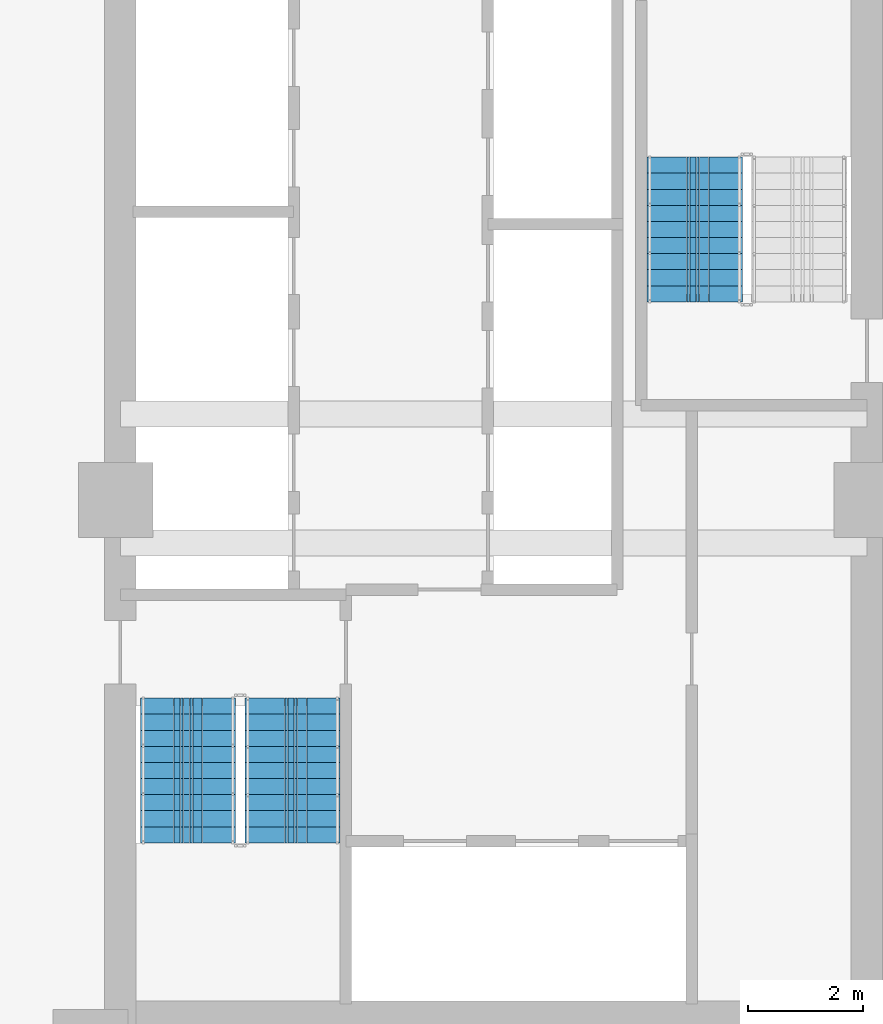
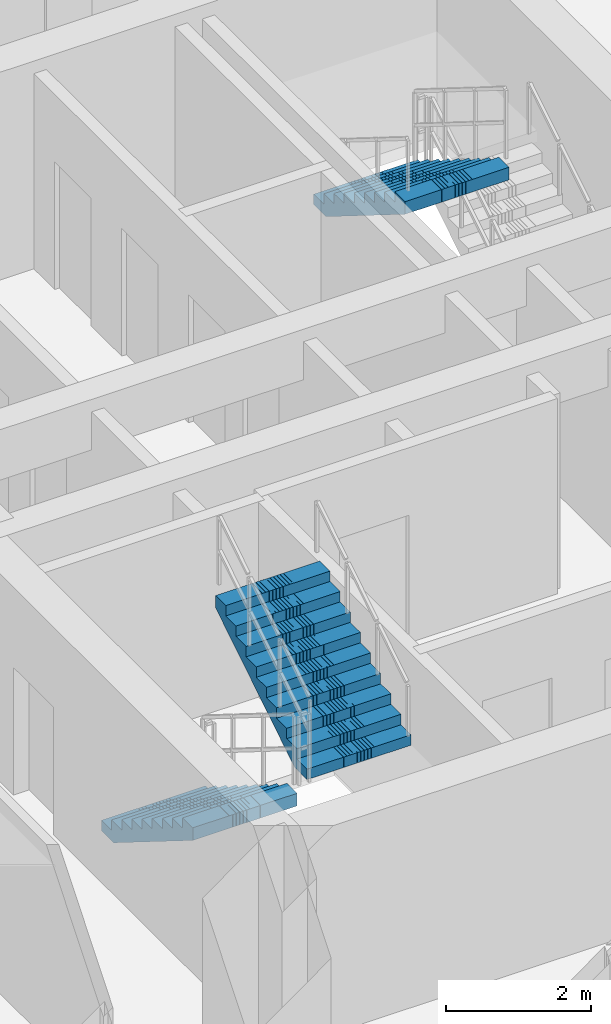
# One storey, part 8 of 17: 3 stair flights, 2 elements without a shape of their own.
"""IFC4 building model written with IfcOpenShell, lengths in metres."""

from ifc_helpers import new_model, si_unit, direction, frame, origin, place, context, subcontext, project, spatial, polyline, outline, extrude, material, type_object, element, aggregate, save


model = new_model("IFC4")

# Units and contexts
model_context = context("Model", 3, precision=1e-05, world=origin(), true_north=direction((0.0, 1.0)))
body_context = subcontext(model_context, "Body", "Model", "MODEL_VIEW")
ifc_project = project(units=[si_unit("LENGTHUNIT", "METRE"), si_unit("AREAUNIT", "SQUARE_METRE"), si_unit("VOLUMEUNIT", "CUBIC_METRE"), si_unit("PLANEANGLEUNIT", "RADIAN"), si_unit("MASSUNIT", "GRAM", prefix="KILO")], contexts=[model_context])

# Site, building, storey
site_placement = place(None, origin())
site = spatial("IfcSite", under=ifc_project, at=site_placement, CompositionType="ELEMENT")
building_placement = place(site_placement, origin())
building = spatial("IfcBuilding", under=site, at=building_placement, Name="Saelheon Loggia Tower", CompositionType="ELEMENT")
storey_placement = place(building_placement, frame((0.0, 0.0, 74.35009765625)))
storey = spatial("IfcBuildingStorey", under=building, at=storey_placement, Name="L23", CompositionType="ELEMENT", Elevation=74.35009765625)

# Stair, stair flights
ifc_material = material(Name="Concrete C40/50", Category="concrete")
stair_type = type_object("IfcStairType", Name="Stair_Escape_Core", PredefinedType="HALF_TURN_STAIR", material=ifc_material)
stair_1_placement = place(storey_placement, origin())
stair_1 = element("IfcStair", 1, at=stair_1_placement, inside=storey, type_object=stair_type, Name="L23 Special Escape Stair ST1", PredefinedType="HALF_TURN_STAIR")
stair_flight_type = type_object("IfcStairFlightType", Name="StairFlight_Tower_1660", PredefinedType="STRAIGHT", material=ifc_material)
stair_flight_1_placement = place(storey_placement, frame((32.679931640625, 23.550048828125, 0.0), z_axis=(0.0, 0.0, 1.0), x_axis=(0.0, -1.0, 0.0)))
stair_flight_1 = element("IfcStairFlight", 2, at=stair_flight_1_placement, type_object=stair_flight_type, Name="ST1 flight 1", NumberOfRisers=10, NumberOfTreads=9, PredefinedType="STRAIGHT", RiserHeight=0.175, TreadLength=0.28, context=body_context, shape_type="SweptSolid", body=[
    extrude(outline(polyline([(0.0, 0.0), (0.0, 0.175048828125), (0.280029296875, 0.175048828125), (0.280029296875, 0.35009765625), (0.56005859375, 0.35009765625), (0.56005859375, 0.52490234375), (0.840087890625, 0.52490234375), (0.840087890625, 0.699951171875), (1.1201171875, 0.699951171875), (1.1201171875, 0.875), (1.39990234375, 0.875), (1.39990234375, 1.050048828125), (1.679931640625, 1.050048828125), (1.679931640625, 1.22509765625), (1.9599609375, 1.22509765625), (1.9599609375, 1.39990234375), (2.239990234375, 1.39990234375), (2.239990234375, 1.574951171875), (2.52001953125, 1.574951171875), (2.52001953125, 1.75), (2.52001953125, 1.36279296875), (0.339599609375, 0.0), (0.0, 0.0)])), frame((0.0, -0.2490234375, 0.0), z_axis=(0.0, -1.0, 0.0), x_axis=(1.0, 0.0, 0.0)), (0.0, 0.0, 1.0), 0.5810546875),
    extrude(outline(polyline([(0.0, 0.0), (0.0, 0.175048828125), (0.280029296875, 0.175048828125), (0.280029296875, 0.35009765625), (0.56005859375, 0.35009765625), (0.56005859375, 0.52490234375), (0.840087890625, 0.52490234375), (0.840087890625, 0.699951171875), (1.1201171875, 0.699951171875), (1.1201171875, 0.875), (1.39990234375, 0.875), (1.39990234375, 1.050048828125), (1.679931640625, 1.050048828125), (1.679931640625, 1.22509765625), (1.9599609375, 1.22509765625), (1.9599609375, 1.39990234375), (2.239990234375, 1.39990234375), (2.239990234375, 1.574951171875), (2.52001953125, 1.574951171875), (2.52001953125, 1.75), (2.52001953125, 1.36279296875), (0.339599609375, 0.0), (0.0, 0.0)])), frame((0.0, -0.194091796875, 0.0), z_axis=(0.0, -1.0, 0.0), x_axis=(1.0, 0.0, 0.0)), (0.0, 0.0, 1.0), 0.0498046875),
    extrude(outline(polyline([(0.0, 0.0), (0.0, 0.175048828125), (0.280029296875, 0.175048828125), (0.280029296875, 0.35009765625), (0.56005859375, 0.35009765625), (0.56005859375, 0.52490234375), (0.840087890625, 0.52490234375), (0.840087890625, 0.699951171875), (1.1201171875, 0.699951171875), (1.1201171875, 0.875), (1.39990234375, 0.875), (1.39990234375, 1.050048828125), (1.679931640625, 1.050048828125), (1.679931640625, 1.22509765625), (1.9599609375, 1.22509765625), (1.9599609375, 1.39990234375), (2.239990234375, 1.39990234375), (2.239990234375, 1.574951171875), (2.52001953125, 1.574951171875), (2.52001953125, 1.75), (2.52001953125, 1.36279296875), (0.339599609375, 0.0), (0.0, 0.0)])), frame((0.0, -0.139404296875, 0.0), z_axis=(0.0, -1.0, 0.0), x_axis=(1.0, 0.0, 0.0)), (0.0, 0.0, 1.0), 0.0498046875),
    extrude(outline(polyline([(0.0, 0.0), (0.0, 0.175048828125), (0.280029296875, 0.175048828125), (0.280029296875, 0.35009765625), (0.56005859375, 0.35009765625), (0.56005859375, 0.52490234375), (0.840087890625, 0.52490234375), (0.840087890625, 0.699951171875), (1.1201171875, 0.699951171875), (1.1201171875, 0.875), (1.39990234375, 0.875), (1.39990234375, 1.050048828125), (1.679931640625, 1.050048828125), (1.679931640625, 1.22509765625), (1.9599609375, 1.22509765625), (1.9599609375, 1.39990234375), (2.239990234375, 1.39990234375), (2.239990234375, 1.574951171875), (2.52001953125, 1.574951171875), (2.52001953125, 1.75), (2.52001953125, 1.36279296875), (0.339599609375, 0.0), (0.0, 0.0)])), frame((0.0, -0.084716796875, 0.0), z_axis=(0.0, -1.0, 0.0), x_axis=(1.0, 0.0, 0.0)), (0.0, 0.0, 1.0), 0.0498046875),
    extrude(outline(polyline([(0.0, 0.0), (0.0, 0.175048828125), (0.280029296875, 0.175048828125), (0.280029296875, 0.35009765625), (0.56005859375, 0.35009765625), (0.56005859375, 0.52490234375), (0.840087890625, 0.52490234375), (0.840087890625, 0.699951171875), (1.1201171875, 0.699951171875), (1.1201171875, 0.875), (1.39990234375, 0.875), (1.39990234375, 1.050048828125), (1.679931640625, 1.050048828125), (1.679931640625, 1.22509765625), (1.9599609375, 1.22509765625), (1.9599609375, 1.39990234375), (2.239990234375, 1.39990234375), (2.239990234375, 1.574951171875), (2.52001953125, 1.574951171875), (2.52001953125, 1.75), (2.52001953125, 1.36279296875), (0.339599609375, 0.0), (0.0, 0.0)])), frame((0.0, -0.02978515625, 0.0), z_axis=(0.0, -1.0, 0.0), x_axis=(1.0, 0.0, 0.0)), (0.0, 0.0, 1.0), 0.0498046875),
    extrude(outline(polyline([(0.0, 0.0), (0.0, 0.175048828125), (0.280029296875, 0.175048828125), (0.280029296875, 0.35009765625), (0.56005859375, 0.35009765625), (0.56005859375, 0.52490234375), (0.840087890625, 0.52490234375), (0.840087890625, 0.699951171875), (1.1201171875, 0.699951171875), (1.1201171875, 0.875), (1.39990234375, 0.875), (1.39990234375, 1.050048828125), (1.679931640625, 1.050048828125), (1.679931640625, 1.22509765625), (1.9599609375, 1.22509765625), (1.9599609375, 1.39990234375), (2.239990234375, 1.39990234375), (2.239990234375, 1.574951171875), (2.52001953125, 1.574951171875), (2.52001953125, 1.75), (2.52001953125, 1.36279296875), (0.339599609375, 0.0), (0.0, 0.0)])), frame((0.0, 0.02490234375, 0.0), z_axis=(0.0, -1.0, 0.0), x_axis=(1.0, 0.0, 0.0)), (0.0, 0.0, 1.0), 0.0498046875),
    extrude(outline(polyline([(0.0, 0.0), (0.0, 0.175048828125), (0.280029296875, 0.175048828125), (0.280029296875, 0.35009765625), (0.56005859375, 0.35009765625), (0.56005859375, 0.52490234375), (0.840087890625, 0.52490234375), (0.840087890625, 0.699951171875), (1.1201171875, 0.699951171875), (1.1201171875, 0.875), (1.39990234375, 0.875), (1.39990234375, 1.050048828125), (1.679931640625, 1.050048828125), (1.679931640625, 1.22509765625), (1.9599609375, 1.22509765625), (1.9599609375, 1.39990234375), (2.239990234375, 1.39990234375), (2.239990234375, 1.574951171875), (2.52001953125, 1.574951171875), (2.52001953125, 1.75), (2.52001953125, 1.36279296875), (0.339599609375, 0.0), (0.0, 0.0)])), frame((0.0, 0.07958984375, 0.0), z_axis=(0.0, -1.0, 0.0), x_axis=(1.0, 0.0, 0.0)), (0.0, 0.0, 1.0), 0.0498046875),
    extrude(outline(polyline([(0.0, 0.0), (0.0, 0.175048828125), (0.280029296875, 0.175048828125), (0.280029296875, 0.35009765625), (0.56005859375, 0.35009765625), (0.56005859375, 0.52490234375), (0.840087890625, 0.52490234375), (0.840087890625, 0.699951171875), (1.1201171875, 0.699951171875), (1.1201171875, 0.875), (1.39990234375, 0.875), (1.39990234375, 1.050048828125), (1.679931640625, 1.050048828125), (1.679931640625, 1.22509765625), (1.9599609375, 1.22509765625), (1.9599609375, 1.39990234375), (2.239990234375, 1.39990234375), (2.239990234375, 1.574951171875), (2.52001953125, 1.574951171875), (2.52001953125, 1.75), (2.52001953125, 1.36279296875), (0.339599609375, 0.0), (0.0, 0.0)])), frame((0.0, 0.134521484375, 0.0), z_axis=(0.0, -1.0, 0.0), x_axis=(1.0, 0.0, 0.0)), (0.0, 0.0, 1.0), 0.0498046875),
    extrude(outline(polyline([(0.0, 0.0), (0.0, 0.175048828125), (0.280029296875, 0.175048828125), (0.280029296875, 0.35009765625), (0.56005859375, 0.35009765625), (0.56005859375, 0.52490234375), (0.840087890625, 0.52490234375), (0.840087890625, 0.699951171875), (1.1201171875, 0.699951171875), (1.1201171875, 0.875), (1.39990234375, 0.875), (1.39990234375, 1.050048828125), (1.679931640625, 1.050048828125), (1.679931640625, 1.22509765625), (1.9599609375, 1.22509765625), (1.9599609375, 1.39990234375), (2.239990234375, 1.39990234375), (2.239990234375, 1.574951171875), (2.52001953125, 1.574951171875), (2.52001953125, 1.75), (2.52001953125, 1.36279296875), (0.339599609375, 0.0), (0.0, 0.0)])), frame((0.0, 0.189208984375, 0.0), z_axis=(0.0, -1.0, 0.0), x_axis=(1.0, 0.0, 0.0)), (0.0, 0.0, 1.0), 0.0498046875),
    extrude(outline(polyline([(0.0, 0.0), (0.0, 0.175048828125), (0.280029296875, 0.175048828125), (0.280029296875, 0.35009765625), (0.56005859375, 0.35009765625), (0.56005859375, 0.52490234375), (0.840087890625, 0.52490234375), (0.840087890625, 0.699951171875), (1.1201171875, 0.699951171875), (1.1201171875, 0.875), (1.39990234375, 0.875), (1.39990234375, 1.050048828125), (1.679931640625, 1.050048828125), (1.679931640625, 1.22509765625), (1.9599609375, 1.22509765625), (1.9599609375, 1.39990234375), (2.239990234375, 1.39990234375), (2.239990234375, 1.574951171875), (2.52001953125, 1.574951171875), (2.52001953125, 1.75), (2.52001953125, 1.36279296875), (0.339599609375, 0.0), (0.0, 0.0)])), frame((0.0, 0.243896484375, 0.0), z_axis=(0.0, -1.0, 0.0), x_axis=(1.0, 0.0, 0.0)), (0.0, 0.0, 1.0), 0.0498046875),
    extrude(outline(polyline([(0.0, 0.0), (0.0, 0.175048828125), (0.280029296875, 0.175048828125), (0.280029296875, 0.35009765625), (0.56005859375, 0.35009765625), (0.56005859375, 0.52490234375), (0.840087890625, 0.52490234375), (0.840087890625, 0.699951171875), (1.1201171875, 0.699951171875), (1.1201171875, 0.875), (1.39990234375, 0.875), (1.39990234375, 1.050048828125), (1.679931640625, 1.050048828125), (1.679931640625, 1.22509765625), (1.9599609375, 1.22509765625), (1.9599609375, 1.39990234375), (2.239990234375, 1.39990234375), (2.239990234375, 1.574951171875), (2.52001953125, 1.574951171875), (2.52001953125, 1.75), (2.52001953125, 1.36279296875), (0.339599609375, 0.0), (0.0, 0.0)])), frame((0.0, 0.830078125, 0.0), z_axis=(0.0, -1.0, 0.0), x_axis=(1.0, 0.0, 0.0)), (0.0, 0.0, 1.0), 0.5810546875),
])
stair_flight_2_placement = place(storey_placement, frame((34.5, 21.030029296875, 1.75), z_axis=(0.0, 0.0, 1.0), x_axis=(0.0, 1.0, 0.0)))
stair_flight_2 = element("IfcStairFlight", 3, at=stair_flight_2_placement, type_object=stair_flight_type, Name="ST1 flight 2", NumberOfRisers=10, NumberOfTreads=9, PredefinedType="STRAIGHT", RiserHeight=0.175, TreadLength=0.28, context=body_context, shape_type="SweptSolid", body=[
    extrude(outline(polyline([(0.0, 0.0), (0.0, 0.175048828125), (0.280029296875, 0.175048828125), (0.280029296875, 0.35009765625), (0.56005859375, 0.35009765625), (0.56005859375, 0.52490234375), (0.840087890625, 0.52490234375), (0.840087890625, 0.699951171875), (1.1201171875, 0.699951171875), (1.1201171875, 0.875), (1.39990234375, 0.875), (1.39990234375, 1.050048828125), (1.679931640625, 1.050048828125), (1.679931640625, 1.22509765625), (1.9599609375, 1.22509765625), (1.9599609375, 1.39990234375), (2.239990234375, 1.39990234375), (2.239990234375, 1.574951171875), (2.52001953125, 1.574951171875), (2.52001953125, 1.75), (2.52001953125, 1.36279296875), (0.339599609375, 0.0), (0.0, 0.0)])), frame((0.0, -0.2490234375, 0.0), z_axis=(0.0, -1.0, 0.0), x_axis=(1.0, 0.0, 0.0)), (0.0, 0.0, 1.0), 0.5810546875),
    extrude(outline(polyline([(0.0, 0.0), (0.0, 0.175048828125), (0.280029296875, 0.175048828125), (0.280029296875, 0.35009765625), (0.56005859375, 0.35009765625), (0.56005859375, 0.52490234375), (0.840087890625, 0.52490234375), (0.840087890625, 0.699951171875), (1.1201171875, 0.699951171875), (1.1201171875, 0.875), (1.39990234375, 0.875), (1.39990234375, 1.050048828125), (1.679931640625, 1.050048828125), (1.679931640625, 1.22509765625), (1.9599609375, 1.22509765625), (1.9599609375, 1.39990234375), (2.239990234375, 1.39990234375), (2.239990234375, 1.574951171875), (2.52001953125, 1.574951171875), (2.52001953125, 1.75), (2.52001953125, 1.36279296875), (0.339599609375, 0.0), (0.0, 0.0)])), frame((0.0, -0.194091796875, 0.0), z_axis=(0.0, -1.0, 0.0), x_axis=(1.0, 0.0, 0.0)), (0.0, 0.0, 1.0), 0.0498046875),
    extrude(outline(polyline([(0.0, 0.0), (0.0, 0.175048828125), (0.280029296875, 0.175048828125), (0.280029296875, 0.35009765625), (0.56005859375, 0.35009765625), (0.56005859375, 0.52490234375), (0.840087890625, 0.52490234375), (0.840087890625, 0.699951171875), (1.1201171875, 0.699951171875), (1.1201171875, 0.875), (1.39990234375, 0.875), (1.39990234375, 1.050048828125), (1.679931640625, 1.050048828125), (1.679931640625, 1.22509765625), (1.9599609375, 1.22509765625), (1.9599609375, 1.39990234375), (2.239990234375, 1.39990234375), (2.239990234375, 1.574951171875), (2.52001953125, 1.574951171875), (2.52001953125, 1.75), (2.52001953125, 1.36279296875), (0.339599609375, 0.0), (0.0, 0.0)])), frame((0.0, -0.139404296875, 0.0), z_axis=(0.0, -1.0, 0.0), x_axis=(1.0, 0.0, 0.0)), (0.0, 0.0, 1.0), 0.0498046875),
    extrude(outline(polyline([(0.0, 0.0), (0.0, 0.175048828125), (0.280029296875, 0.175048828125), (0.280029296875, 0.35009765625), (0.56005859375, 0.35009765625), (0.56005859375, 0.52490234375), (0.840087890625, 0.52490234375), (0.840087890625, 0.699951171875), (1.1201171875, 0.699951171875), (1.1201171875, 0.875), (1.39990234375, 0.875), (1.39990234375, 1.050048828125), (1.679931640625, 1.050048828125), (1.679931640625, 1.22509765625), (1.9599609375, 1.22509765625), (1.9599609375, 1.39990234375), (2.239990234375, 1.39990234375), (2.239990234375, 1.574951171875), (2.52001953125, 1.574951171875), (2.52001953125, 1.75), (2.52001953125, 1.36279296875), (0.339599609375, 0.0), (0.0, 0.0)])), frame((0.0, -0.084716796875, 0.0), z_axis=(0.0, -1.0, 0.0), x_axis=(1.0, 0.0, 0.0)), (0.0, 0.0, 1.0), 0.0498046875),
    extrude(outline(polyline([(0.0, 0.0), (0.0, 0.175048828125), (0.280029296875, 0.175048828125), (0.280029296875, 0.35009765625), (0.56005859375, 0.35009765625), (0.56005859375, 0.52490234375), (0.840087890625, 0.52490234375), (0.840087890625, 0.699951171875), (1.1201171875, 0.699951171875), (1.1201171875, 0.875), (1.39990234375, 0.875), (1.39990234375, 1.050048828125), (1.679931640625, 1.050048828125), (1.679931640625, 1.22509765625), (1.9599609375, 1.22509765625), (1.9599609375, 1.39990234375), (2.239990234375, 1.39990234375), (2.239990234375, 1.574951171875), (2.52001953125, 1.574951171875), (2.52001953125, 1.75), (2.52001953125, 1.36279296875), (0.339599609375, 0.0), (0.0, 0.0)])), frame((0.0, -0.02978515625, 0.0), z_axis=(0.0, -1.0, 0.0), x_axis=(1.0, 0.0, 0.0)), (0.0, 0.0, 1.0), 0.0498046875),
    extrude(outline(polyline([(0.0, 0.0), (0.0, 0.175048828125), (0.280029296875, 0.175048828125), (0.280029296875, 0.35009765625), (0.56005859375, 0.35009765625), (0.56005859375, 0.52490234375), (0.840087890625, 0.52490234375), (0.840087890625, 0.699951171875), (1.1201171875, 0.699951171875), (1.1201171875, 0.875), (1.39990234375, 0.875), (1.39990234375, 1.050048828125), (1.679931640625, 1.050048828125), (1.679931640625, 1.22509765625), (1.9599609375, 1.22509765625), (1.9599609375, 1.39990234375), (2.239990234375, 1.39990234375), (2.239990234375, 1.574951171875), (2.52001953125, 1.574951171875), (2.52001953125, 1.75), (2.52001953125, 1.36279296875), (0.339599609375, 0.0), (0.0, 0.0)])), frame((0.0, 0.02490234375, 0.0), z_axis=(0.0, -1.0, 0.0), x_axis=(1.0, 0.0, 0.0)), (0.0, 0.0, 1.0), 0.0498046875),
    extrude(outline(polyline([(0.0, 0.0), (0.0, 0.175048828125), (0.280029296875, 0.175048828125), (0.280029296875, 0.35009765625), (0.56005859375, 0.35009765625), (0.56005859375, 0.52490234375), (0.840087890625, 0.52490234375), (0.840087890625, 0.699951171875), (1.1201171875, 0.699951171875), (1.1201171875, 0.875), (1.39990234375, 0.875), (1.39990234375, 1.050048828125), (1.679931640625, 1.050048828125), (1.679931640625, 1.22509765625), (1.9599609375, 1.22509765625), (1.9599609375, 1.39990234375), (2.239990234375, 1.39990234375), (2.239990234375, 1.574951171875), (2.52001953125, 1.574951171875), (2.52001953125, 1.75), (2.52001953125, 1.36279296875), (0.339599609375, 0.0), (0.0, 0.0)])), frame((0.0, 0.07958984375, 0.0), z_axis=(0.0, -1.0, 0.0), x_axis=(1.0, 0.0, 0.0)), (0.0, 0.0, 1.0), 0.0498046875),
    extrude(outline(polyline([(0.0, 0.0), (0.0, 0.175048828125), (0.280029296875, 0.175048828125), (0.280029296875, 0.35009765625), (0.56005859375, 0.35009765625), (0.56005859375, 0.52490234375), (0.840087890625, 0.52490234375), (0.840087890625, 0.699951171875), (1.1201171875, 0.699951171875), (1.1201171875, 0.875), (1.39990234375, 0.875), (1.39990234375, 1.050048828125), (1.679931640625, 1.050048828125), (1.679931640625, 1.22509765625), (1.9599609375, 1.22509765625), (1.9599609375, 1.39990234375), (2.239990234375, 1.39990234375), (2.239990234375, 1.574951171875), (2.52001953125, 1.574951171875), (2.52001953125, 1.75), (2.52001953125, 1.36279296875), (0.339599609375, 0.0), (0.0, 0.0)])), frame((0.0, 0.134521484375, 0.0), z_axis=(0.0, -1.0, 0.0), x_axis=(1.0, 0.0, 0.0)), (0.0, 0.0, 1.0), 0.0498046875),
    extrude(outline(polyline([(0.0, 0.0), (0.0, 0.175048828125), (0.280029296875, 0.175048828125), (0.280029296875, 0.35009765625), (0.56005859375, 0.35009765625), (0.56005859375, 0.52490234375), (0.840087890625, 0.52490234375), (0.840087890625, 0.699951171875), (1.1201171875, 0.699951171875), (1.1201171875, 0.875), (1.39990234375, 0.875), (1.39990234375, 1.050048828125), (1.679931640625, 1.050048828125), (1.679931640625, 1.22509765625), (1.9599609375, 1.22509765625), (1.9599609375, 1.39990234375), (2.239990234375, 1.39990234375), (2.239990234375, 1.574951171875), (2.52001953125, 1.574951171875), (2.52001953125, 1.75), (2.52001953125, 1.36279296875), (0.339599609375, 0.0), (0.0, 0.0)])), frame((0.0, 0.189208984375, 0.0), z_axis=(0.0, -1.0, 0.0), x_axis=(1.0, 0.0, 0.0)), (0.0, 0.0, 1.0), 0.0498046875),
    extrude(outline(polyline([(0.0, 0.0), (0.0, 0.175048828125), (0.280029296875, 0.175048828125), (0.280029296875, 0.35009765625), (0.56005859375, 0.35009765625), (0.56005859375, 0.52490234375), (0.840087890625, 0.52490234375), (0.840087890625, 0.699951171875), (1.1201171875, 0.699951171875), (1.1201171875, 0.875), (1.39990234375, 0.875), (1.39990234375, 1.050048828125), (1.679931640625, 1.050048828125), (1.679931640625, 1.22509765625), (1.9599609375, 1.22509765625), (1.9599609375, 1.39990234375), (2.239990234375, 1.39990234375), (2.239990234375, 1.574951171875), (2.52001953125, 1.574951171875), (2.52001953125, 1.75), (2.52001953125, 1.36279296875), (0.339599609375, 0.0), (0.0, 0.0)])), frame((0.0, 0.243896484375, 0.0), z_axis=(0.0, -1.0, 0.0), x_axis=(1.0, 0.0, 0.0)), (0.0, 0.0, 1.0), 0.0498046875),
    extrude(outline(polyline([(0.0, 0.0), (0.0, 0.175048828125), (0.280029296875, 0.175048828125), (0.280029296875, 0.35009765625), (0.56005859375, 0.35009765625), (0.56005859375, 0.52490234375), (0.840087890625, 0.52490234375), (0.840087890625, 0.699951171875), (1.1201171875, 0.699951171875), (1.1201171875, 0.875), (1.39990234375, 0.875), (1.39990234375, 1.050048828125), (1.679931640625, 1.050048828125), (1.679931640625, 1.22509765625), (1.9599609375, 1.22509765625), (1.9599609375, 1.39990234375), (2.239990234375, 1.39990234375), (2.239990234375, 1.574951171875), (2.52001953125, 1.574951171875), (2.52001953125, 1.75), (2.52001953125, 1.36279296875), (0.339599609375, 0.0), (0.0, 0.0)])), frame((0.0, 0.830078125, 0.0), z_axis=(0.0, -1.0, 0.0), x_axis=(1.0, 0.0, 0.0)), (0.0, 0.0, 1.0), 0.5810546875),
])
aggregate(stair_1, [stair_flight_1, stair_flight_2])

# Stair, stair flight
stair_2_placement = place(storey_placement, origin())
stair_2 = element("IfcStair", 4, at=stair_2_placement, inside=storey, type_object=stair_type, Name="L23 Special Escape Stair ST2", PredefinedType="HALF_TURN_STAIR")
stair_flight_3_placement = place(storey_placement, frame((41.5, 32.969970703125, 1.75), z_axis=(0.0, 0.0, 1.0), x_axis=(0.0, -1.0, 0.0)))
stair_flight_3 = element("IfcStairFlight", 5, at=stair_flight_3_placement, type_object=stair_flight_type, Name="ST2 flight 2", NumberOfRisers=10, NumberOfTreads=9, PredefinedType="STRAIGHT", RiserHeight=0.175, TreadLength=0.28, context=body_context, shape_type="SweptSolid", body=[
    extrude(outline(polyline([(0.0, 0.0), (0.0, 0.175048828125), (0.280029296875, 0.175048828125), (0.280029296875, 0.35009765625), (0.56005859375, 0.35009765625), (0.56005859375, 0.52490234375), (0.840087890625, 0.52490234375), (0.840087890625, 0.699951171875), (1.1201171875, 0.699951171875), (1.1201171875, 0.875), (1.39990234375, 0.875), (1.39990234375, 1.050048828125), (1.679931640625, 1.050048828125), (1.679931640625, 1.22509765625), (1.9599609375, 1.22509765625), (1.9599609375, 1.39990234375), (2.239990234375, 1.39990234375), (2.239990234375, 1.574951171875), (2.52001953125, 1.574951171875), (2.52001953125, 1.75), (2.52001953125, 1.36279296875), (0.339599609375, 0.0), (0.0, 0.0)])), frame((0.0, -0.2490234375, 0.0), z_axis=(0.0, -1.0, 0.0), x_axis=(1.0, 0.0, 0.0)), (0.0, 0.0, 1.0), 0.5810546875),
    extrude(outline(polyline([(0.0, 0.0), (0.0, 0.175048828125), (0.280029296875, 0.175048828125), (0.280029296875, 0.35009765625), (0.56005859375, 0.35009765625), (0.56005859375, 0.52490234375), (0.840087890625, 0.52490234375), (0.840087890625, 0.699951171875), (1.1201171875, 0.699951171875), (1.1201171875, 0.875), (1.39990234375, 0.875), (1.39990234375, 1.050048828125), (1.679931640625, 1.050048828125), (1.679931640625, 1.22509765625), (1.9599609375, 1.22509765625), (1.9599609375, 1.39990234375), (2.239990234375, 1.39990234375), (2.239990234375, 1.574951171875), (2.52001953125, 1.574951171875), (2.52001953125, 1.75), (2.52001953125, 1.36279296875), (0.339599609375, 0.0), (0.0, 0.0)])), frame((0.0, -0.194091796875, 0.0), z_axis=(0.0, -1.0, 0.0), x_axis=(1.0, 0.0, 0.0)), (0.0, 0.0, 1.0), 0.0498046875),
    extrude(outline(polyline([(0.0, 0.0), (0.0, 0.175048828125), (0.280029296875, 0.175048828125), (0.280029296875, 0.35009765625), (0.56005859375, 0.35009765625), (0.56005859375, 0.52490234375), (0.840087890625, 0.52490234375), (0.840087890625, 0.699951171875), (1.1201171875, 0.699951171875), (1.1201171875, 0.875), (1.39990234375, 0.875), (1.39990234375, 1.050048828125), (1.679931640625, 1.050048828125), (1.679931640625, 1.22509765625), (1.9599609375, 1.22509765625), (1.9599609375, 1.39990234375), (2.239990234375, 1.39990234375), (2.239990234375, 1.574951171875), (2.52001953125, 1.574951171875), (2.52001953125, 1.75), (2.52001953125, 1.36279296875), (0.339599609375, 0.0), (0.0, 0.0)])), frame((0.0, -0.139404296875, 0.0), z_axis=(0.0, -1.0, 0.0), x_axis=(1.0, 0.0, 0.0)), (0.0, 0.0, 1.0), 0.0498046875),
    extrude(outline(polyline([(0.0, 0.0), (0.0, 0.175048828125), (0.280029296875, 0.175048828125), (0.280029296875, 0.35009765625), (0.56005859375, 0.35009765625), (0.56005859375, 0.52490234375), (0.840087890625, 0.52490234375), (0.840087890625, 0.699951171875), (1.1201171875, 0.699951171875), (1.1201171875, 0.875), (1.39990234375, 0.875), (1.39990234375, 1.050048828125), (1.679931640625, 1.050048828125), (1.679931640625, 1.22509765625), (1.9599609375, 1.22509765625), (1.9599609375, 1.39990234375), (2.239990234375, 1.39990234375), (2.239990234375, 1.574951171875), (2.52001953125, 1.574951171875), (2.52001953125, 1.75), (2.52001953125, 1.36279296875), (0.339599609375, 0.0), (0.0, 0.0)])), frame((0.0, -0.084716796875, 0.0), z_axis=(0.0, -1.0, 0.0), x_axis=(1.0, 0.0, 0.0)), (0.0, 0.0, 1.0), 0.0498046875),
    extrude(outline(polyline([(0.0, 0.0), (0.0, 0.175048828125), (0.280029296875, 0.175048828125), (0.280029296875, 0.35009765625), (0.56005859375, 0.35009765625), (0.56005859375, 0.52490234375), (0.840087890625, 0.52490234375), (0.840087890625, 0.699951171875), (1.1201171875, 0.699951171875), (1.1201171875, 0.875), (1.39990234375, 0.875), (1.39990234375, 1.050048828125), (1.679931640625, 1.050048828125), (1.679931640625, 1.22509765625), (1.9599609375, 1.22509765625), (1.9599609375, 1.39990234375), (2.239990234375, 1.39990234375), (2.239990234375, 1.574951171875), (2.52001953125, 1.574951171875), (2.52001953125, 1.75), (2.52001953125, 1.36279296875), (0.339599609375, 0.0), (0.0, 0.0)])), frame((0.0, -0.02978515625, 0.0), z_axis=(0.0, -1.0, 0.0), x_axis=(1.0, 0.0, 0.0)), (0.0, 0.0, 1.0), 0.0498046875),
    extrude(outline(polyline([(0.0, 0.0), (0.0, 0.175048828125), (0.280029296875, 0.175048828125), (0.280029296875, 0.35009765625), (0.56005859375, 0.35009765625), (0.56005859375, 0.52490234375), (0.840087890625, 0.52490234375), (0.840087890625, 0.699951171875), (1.1201171875, 0.699951171875), (1.1201171875, 0.875), (1.39990234375, 0.875), (1.39990234375, 1.050048828125), (1.679931640625, 1.050048828125), (1.679931640625, 1.22509765625), (1.9599609375, 1.22509765625), (1.9599609375, 1.39990234375), (2.239990234375, 1.39990234375), (2.239990234375, 1.574951171875), (2.52001953125, 1.574951171875), (2.52001953125, 1.75), (2.52001953125, 1.36279296875), (0.339599609375, 0.0), (0.0, 0.0)])), frame((0.0, 0.02490234375, 0.0), z_axis=(0.0, -1.0, 0.0), x_axis=(1.0, 0.0, 0.0)), (0.0, 0.0, 1.0), 0.0498046875),
    extrude(outline(polyline([(0.0, 0.0), (0.0, 0.175048828125), (0.280029296875, 0.175048828125), (0.280029296875, 0.35009765625), (0.56005859375, 0.35009765625), (0.56005859375, 0.52490234375), (0.840087890625, 0.52490234375), (0.840087890625, 0.699951171875), (1.1201171875, 0.699951171875), (1.1201171875, 0.875), (1.39990234375, 0.875), (1.39990234375, 1.050048828125), (1.679931640625, 1.050048828125), (1.679931640625, 1.22509765625), (1.9599609375, 1.22509765625), (1.9599609375, 1.39990234375), (2.239990234375, 1.39990234375), (2.239990234375, 1.574951171875), (2.52001953125, 1.574951171875), (2.52001953125, 1.75), (2.52001953125, 1.36279296875), (0.339599609375, 0.0), (0.0, 0.0)])), frame((0.0, 0.07958984375, 0.0), z_axis=(0.0, -1.0, 0.0), x_axis=(1.0, 0.0, 0.0)), (0.0, 0.0, 1.0), 0.0498046875),
    extrude(outline(polyline([(0.0, 0.0), (0.0, 0.175048828125), (0.280029296875, 0.175048828125), (0.280029296875, 0.35009765625), (0.56005859375, 0.35009765625), (0.56005859375, 0.52490234375), (0.840087890625, 0.52490234375), (0.840087890625, 0.699951171875), (1.1201171875, 0.699951171875), (1.1201171875, 0.875), (1.39990234375, 0.875), (1.39990234375, 1.050048828125), (1.679931640625, 1.050048828125), (1.679931640625, 1.22509765625), (1.9599609375, 1.22509765625), (1.9599609375, 1.39990234375), (2.239990234375, 1.39990234375), (2.239990234375, 1.574951171875), (2.52001953125, 1.574951171875), (2.52001953125, 1.75), (2.52001953125, 1.36279296875), (0.339599609375, 0.0), (0.0, 0.0)])), frame((0.0, 0.134521484375, 0.0), z_axis=(0.0, -1.0, 0.0), x_axis=(1.0, 0.0, 0.0)), (0.0, 0.0, 1.0), 0.0498046875),
    extrude(outline(polyline([(0.0, 0.0), (0.0, 0.175048828125), (0.280029296875, 0.175048828125), (0.280029296875, 0.35009765625), (0.56005859375, 0.35009765625), (0.56005859375, 0.52490234375), (0.840087890625, 0.52490234375), (0.840087890625, 0.699951171875), (1.1201171875, 0.699951171875), (1.1201171875, 0.875), (1.39990234375, 0.875), (1.39990234375, 1.050048828125), (1.679931640625, 1.050048828125), (1.679931640625, 1.22509765625), (1.9599609375, 1.22509765625), (1.9599609375, 1.39990234375), (2.239990234375, 1.39990234375), (2.239990234375, 1.574951171875), (2.52001953125, 1.574951171875), (2.52001953125, 1.75), (2.52001953125, 1.36279296875), (0.339599609375, 0.0), (0.0, 0.0)])), frame((0.0, 0.189208984375, 0.0), z_axis=(0.0, -1.0, 0.0), x_axis=(1.0, 0.0, 0.0)), (0.0, 0.0, 1.0), 0.0498046875),
    extrude(outline(polyline([(0.0, 0.0), (0.0, 0.175048828125), (0.280029296875, 0.175048828125), (0.280029296875, 0.35009765625), (0.56005859375, 0.35009765625), (0.56005859375, 0.52490234375), (0.840087890625, 0.52490234375), (0.840087890625, 0.699951171875), (1.1201171875, 0.699951171875), (1.1201171875, 0.875), (1.39990234375, 0.875), (1.39990234375, 1.050048828125), (1.679931640625, 1.050048828125), (1.679931640625, 1.22509765625), (1.9599609375, 1.22509765625), (1.9599609375, 1.39990234375), (2.239990234375, 1.39990234375), (2.239990234375, 1.574951171875), (2.52001953125, 1.574951171875), (2.52001953125, 1.75), (2.52001953125, 1.36279296875), (0.339599609375, 0.0), (0.0, 0.0)])), frame((0.0, 0.243896484375, 0.0), z_axis=(0.0, -1.0, 0.0), x_axis=(1.0, 0.0, 0.0)), (0.0, 0.0, 1.0), 0.0498046875),
    extrude(outline(polyline([(0.0, 0.0), (0.0, 0.175048828125), (0.280029296875, 0.175048828125), (0.280029296875, 0.35009765625), (0.56005859375, 0.35009765625), (0.56005859375, 0.52490234375), (0.840087890625, 0.52490234375), (0.840087890625, 0.699951171875), (1.1201171875, 0.699951171875), (1.1201171875, 0.875), (1.39990234375, 0.875), (1.39990234375, 1.050048828125), (1.679931640625, 1.050048828125), (1.679931640625, 1.22509765625), (1.9599609375, 1.22509765625), (1.9599609375, 1.39990234375), (2.239990234375, 1.39990234375), (2.239990234375, 1.574951171875), (2.52001953125, 1.574951171875), (2.52001953125, 1.75), (2.52001953125, 1.36279296875), (0.339599609375, 0.0), (0.0, 0.0)])), frame((0.0, 0.830078125, 0.0), z_axis=(0.0, -1.0, 0.0), x_axis=(1.0, 0.0, 0.0)), (0.0, 0.0, 1.0), 0.5810546875),
])
aggregate(stair_2, [stair_flight_3])

save(model, "model.ifc")
